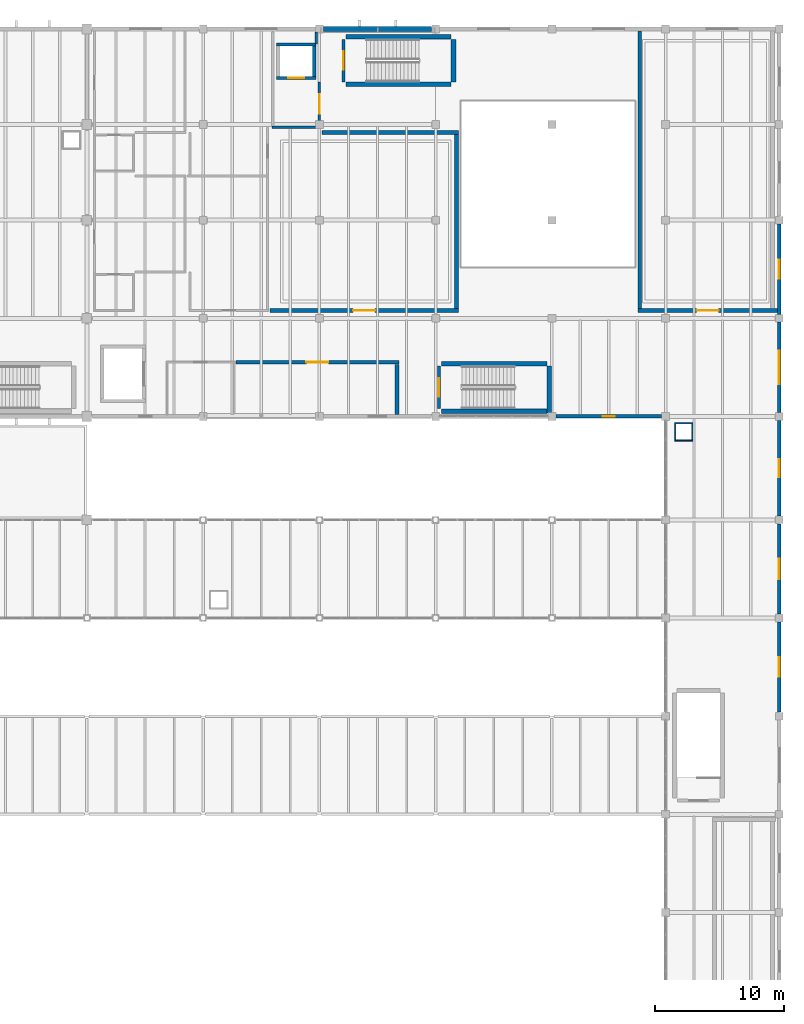
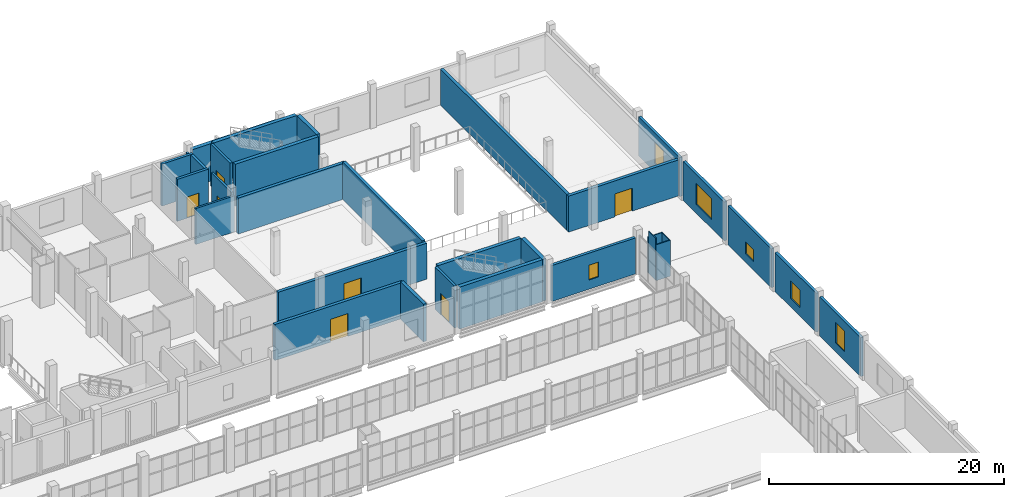
# One storey, part 124 of 136: 32 walls, 7 doors, 6 windows, 13 openings.
"""IFC4 building model written with IfcOpenShell, lengths in metres."""

from ifc_helpers import new_model, si_unit, direction, frame, frame_2d, origin, place, context, subcontext, project, spatial, rectangle, extrude, material, layer, layer_set, type_object, element, fill, save


model = new_model("IFC4")

# Units and contexts
model_context = context("Model", 3, precision=1e-05, world=origin(), true_north=direction((0.0, 1.0)))
body_context = subcontext(model_context, "Body", "Model", "MODEL_VIEW")
ifc_project = project(units=[si_unit("LENGTHUNIT", "METRE"), si_unit("AREAUNIT", "SQUARE_METRE"), si_unit("VOLUMEUNIT", "CUBIC_METRE"), si_unit("PLANEANGLEUNIT", "RADIAN"), si_unit("MASSUNIT", "GRAM", prefix="KILO")], contexts=[model_context])

# Site, building, storey
site_placement = place(None, origin())
site = spatial("IfcSite", under=ifc_project, at=site_placement, CompositionType="ELEMENT")
building_placement = place(site_placement, origin())
building = spatial("IfcBuilding", under=site, at=building_placement, Name="Shengluoqiao Park Theatre", CompositionType="ELEMENT")
storey_placement = place(building_placement, frame((0.0, 0.0, 10.0)))
storey = spatial("IfcBuildingStorey", under=building, at=storey_placement, Name="L02", CompositionType="ELEMENT", Elevation=10.0)

# Wall, opening, window
ifc_material_1 = material(Name="Concrete C40", Category="concrete")
ifc_layer_1 = layer(ifc_material_1, 0.27001953125, Name="Concrete C40")
ifc_layer_set_1 = layer_set([ifc_layer_1], Name="Concrete C40")
wall_type_1 = type_object("IfcWallType", Name="ENV-WL-CONC270", PredefinedType="STANDARD", material=ifc_layer_set_1)
wall_1_placement = place(storey_placement, frame((148.7041015625, 84.0, 0.0), z_axis=(0.0, 0.0, 1.0), x_axis=(1.0, 0.0, 0.0)))
wall_1 = element("IfcWall", 1, at=wall_1_placement, inside=storey, type_object=wall_type_1, Name="L02 Exterior Wall 0220", PredefinedType="STANDARD", context=body_context, shape_type="SweptSolid", body=[
    extrude(rectangle(XDim=8.19189453125, YDim=0.27001953125, at=frame_2d((4.095947265625, 0.0))), origin(), (0.0, 0.0, 1.0), 3.738037109375),
])
opening_1_placement = place(wall_1_placement, frame((3.62109375, 0.0, 0.949951171875)))
opening_1 = element("IfcOpeningElement", 2, at=opening_1_placement, cuts=wall_1, Name="Opening W-08", PredefinedType="OPENING", context=body_context, shape_type="SweptSolid", body=[
    extrude(rectangle(XDim=0.949951171875, YDim=1.550048828125, at=frame_2d((0.47509765625, 0.77490234375))), frame((0.0, 0.14501953125, 0.0), z_axis=(0.0, -1.0, 0.0), x_axis=(1.0, 0.0, 0.0)), (0.0, 0.0, 1.0), 0.2900390625),
])
ifc_material_2 = material(Name="Insulated glass", Category="glass")
window_type_1 = type_object("IfcWindowType", Name="ENV-WIN-W08", PartitioningType="SINGLE_PANEL", PredefinedType="WINDOW", material=ifc_material_2)
window_1_placement = place(opening_1_placement, origin())
window_1 = element("IfcWindow", 3, at=window_1_placement, inside=storey, type_object=window_type_1, Name="L02 Acoustic Window 0064", OverallHeight=1.550048828125, OverallWidth=0.949951171875, PartitioningType="SINGLE_PANEL", PredefinedType="WINDOW", context=body_context, shape_type="SweptSolid", body=[
    extrude(rectangle(XDim=0.949951171875, YDim=1.550048828125, at=frame_2d((0.47509765625, 0.77490234375))), frame((0.0, 0.030029296875, 0.0), z_axis=(0.0, -1.0, 0.0), x_axis=(1.0, 0.0, 0.0)), (0.0, 0.0, 1.0), 0.06005859375),
])
fill(opening_1, window_1)

wall_2_placement = place(storey_placement, frame((166.0, 61.10400390625, 0.0), z_axis=(0.0, 0.0, 1.0), x_axis=(0.0, 1.0, 0.0)))
wall_2 = element("IfcWall", 4, at=wall_2_placement, inside=storey, type_object=wall_type_1, Name="L02 Exterior Wall 0229", PredefinedType="STANDARD", context=body_context, shape_type="SweptSolid", body=[
    extrude(rectangle(XDim=6.991943359375, YDim=0.27001953125, at=frame_2d((3.49609375, 0.0))), origin(), (0.0, 0.0, 1.0), 4.033935546875),
])
opening_2_placement = place(wall_2_placement, frame((2.74609375, 0.0, 0.89990234375)))
opening_2 = element("IfcOpeningElement", 5, at=opening_2_placement, cuts=wall_2, Name="Opening W-03", PredefinedType="OPENING", context=body_context, shape_type="SweptSolid", body=[
    extrude(rectangle(XDim=1.5, YDim=2.14990234375, at=frame_2d((0.75, 1.074951171875))), frame((0.0, 0.14501953125, 0.0), z_axis=(0.0, -1.0, 0.0), x_axis=(1.0, 0.0, 0.0)), (0.0, 0.0, 1.0), 0.2900390625),
])
window_type_2 = type_object("IfcWindowType", Name="ENV-WIN-W03", PartitioningType="DOUBLE_PANEL_VERTICAL", PredefinedType="WINDOW", material=ifc_material_2)
window_2_placement = place(opening_2_placement, origin())
window_2 = element("IfcWindow", 6, at=window_2_placement, inside=storey, type_object=window_type_2, Name="L02 Acoustic Window 0073", OverallHeight=2.14990234375, OverallWidth=1.5, PartitioningType="DOUBLE_PANEL_VERTICAL", PredefinedType="WINDOW", context=body_context, shape_type="SweptSolid", body=[
    extrude(rectangle(XDim=1.5, YDim=2.14990234375, at=frame_2d((0.75, 1.074951171875))), frame((0.0, 0.030029296875, 0.0), z_axis=(0.0, -1.0, 0.0), x_axis=(1.0, 0.0, 0.0)), (0.0, 0.0, 1.0), 0.06005859375),
])
fill(opening_2, window_2)

wall_3_placement = place(storey_placement, frame((166.0, 68.7041015625, 0.0), z_axis=(0.0, 0.0, 1.0), x_axis=(0.0, 1.0, 0.0)))
wall_3 = element("IfcWall", 7, at=wall_3_placement, inside=storey, type_object=wall_type_1, Name="L02 Exterior Wall 0230", PredefinedType="STANDARD", context=body_context, shape_type="SweptSolid", body=[
    extrude(rectangle(XDim=6.991943359375, YDim=0.27001953125, at=frame_2d((3.49609375, 0.0))), origin(), (0.0, 0.0, 1.0), 4.033935546875),
])
opening_3_placement = place(wall_3_placement, frame((2.696044921875, 0.0, 0.89990234375)))
opening_3 = element("IfcOpeningElement", 8, at=opening_3_placement, cuts=wall_3, Name="Opening W-06", PredefinedType="OPENING", context=body_context, shape_type="SweptSolid", body=[
    extrude(rectangle(XDim=1.60009765625, YDim=1.800048828125, at=frame_2d((0.800048828125, 0.89990234375))), frame((0.0, 0.14501953125, 0.0), z_axis=(0.0, -1.0, 0.0), x_axis=(1.0, 0.0, 0.0)), (0.0, 0.0, 1.0), 0.2900390625),
])
window_type_3 = type_object("IfcWindowType", Name="ENV-WIN-W06", PartitioningType="DOUBLE_PANEL_VERTICAL", PredefinedType="WINDOW", material=ifc_material_2)
window_3_placement = place(opening_3_placement, origin())
window_3 = element("IfcWindow", 9, at=window_3_placement, inside=storey, type_object=window_type_3, Name="L02 Acoustic Window 0074", OverallHeight=1.800048828125, OverallWidth=1.60009765625, PartitioningType="DOUBLE_PANEL_VERTICAL", PredefinedType="WINDOW", context=body_context, shape_type="SweptSolid", body=[
    extrude(rectangle(XDim=1.60009765625, YDim=1.800048828125, at=frame_2d((0.800048828125, 0.89990234375))), frame((0.0, 0.030029296875, 0.0), z_axis=(0.0, -1.0, 0.0), x_axis=(1.0, 0.0, 0.0)), (0.0, 0.0, 1.0), 0.06005859375),
])
fill(opening_3, window_3)

wall_4_placement = place(storey_placement, frame((166.0, 76.303955078125, 0.0), z_axis=(0.0, 0.0, 1.0), x_axis=(0.0, 1.0, 0.0)))
wall_4 = element("IfcWall", 10, at=wall_4_placement, inside=storey, type_object=wall_type_1, Name="L02 Exterior Wall 0231", PredefinedType="STANDARD", context=body_context, shape_type="SweptSolid", body=[
    extrude(rectangle(XDim=7.39208984375, YDim=0.27001953125, at=frame_2d((3.696044921875, 0.0))), origin(), (0.0, 0.0, 1.0), 4.033935546875),
])
opening_4_placement = place(wall_4_placement, frame((2.99609375, 0.0, 0.89990234375)))
opening_4 = element("IfcOpeningElement", 11, at=opening_4_placement, cuts=wall_4, Name="Opening W-12", PredefinedType="OPENING", context=body_context, shape_type="SweptSolid", body=[
    extrude(rectangle(XDim=1.39990234375, YDim=1.199951171875, at=frame_2d((0.699951171875, 0.60009765625))), frame((0.0, 0.14501953125, 0.0), z_axis=(0.0, -1.0, 0.0), x_axis=(1.0, 0.0, 0.0)), (0.0, 0.0, 1.0), 0.2900390625),
])
window_type_4 = type_object("IfcWindowType", Name="ENV-WIN-W12", PartitioningType="SINGLE_PANEL", PredefinedType="WINDOW", material=ifc_material_2)
window_4_placement = place(opening_4_placement, origin())
window_4 = element("IfcWindow", 12, at=window_4_placement, inside=storey, type_object=window_type_4, Name="L02 Acoustic Window 0075", OverallHeight=1.199951171875, OverallWidth=1.39990234375, PartitioningType="SINGLE_PANEL", PredefinedType="WINDOW", context=body_context, shape_type="SweptSolid", body=[
    extrude(rectangle(XDim=1.39990234375, YDim=1.199951171875, at=frame_2d((0.699951171875, 0.60009765625))), frame((0.0, 0.030029296875, 0.0), z_axis=(0.0, -1.0, 0.0), x_axis=(1.0, 0.0, 0.0)), (0.0, 0.0, 1.0), 0.06005859375),
])
fill(opening_4, window_4)

wall_5_placement = place(storey_placement, frame((166.0, 84.303955078125, 0.0), z_axis=(0.0, 0.0, 1.0), x_axis=(0.0, 1.0, 0.0)))
wall_5 = element("IfcWall", 13, at=wall_5_placement, inside=storey, type_object=wall_type_1, Name="L02 Exterior Wall 0232", PredefinedType="STANDARD", context=body_context, shape_type="SweptSolid", body=[
    extrude(rectangle(XDim=6.991943359375, YDim=0.27001953125, at=frame_2d((3.49609375, 0.0))), origin(), (0.0, 0.0, 1.0), 4.033935546875),
])
opening_5_placement = place(wall_5_placement, frame((2.196044921875, 0.0, 0.89990234375)))
opening_5 = element("IfcOpeningElement", 14, at=opening_5_placement, cuts=wall_5, Name="Opening W-14", PredefinedType="OPENING", context=body_context, shape_type="SweptSolid", body=[
    extrude(rectangle(XDim=2.60009765625, YDim=2.199951171875, at=frame_2d((1.300048828125, 1.10009765625))), frame((0.0, 0.14501953125, 0.0), z_axis=(0.0, -1.0, 0.0), x_axis=(1.0, 0.0, 0.0)), (0.0, 0.0, 1.0), 0.2900390625),
])
window_type_5 = type_object("IfcWindowType", Name="ENV-WIN-W14", PartitioningType="DOUBLE_PANEL_VERTICAL", PredefinedType="WINDOW", material=ifc_material_2)
window_5_placement = place(opening_5_placement, origin())
window_5 = element("IfcWindow", 15, at=window_5_placement, inside=storey, type_object=window_type_5, Name="L02 Acoustic Window 0076", OverallHeight=2.199951171875, OverallWidth=2.60009765625, PartitioningType="DOUBLE_PANEL_VERTICAL", PredefinedType="WINDOW", context=body_context, shape_type="SweptSolid", body=[
    extrude(rectangle(XDim=2.60009765625, YDim=2.199951171875, at=frame_2d((1.300048828125, 1.10009765625))), frame((0.0, 0.030029296875, 0.0), z_axis=(0.0, -1.0, 0.0), x_axis=(1.0, 0.0, 0.0)), (0.0, 0.0, 1.0), 0.06005859375),
])
fill(opening_5, window_5)

wall_6_placement = place(storey_placement, frame((166.0, 91.904052734375, 0.0), z_axis=(0.0, 0.0, 1.0), x_axis=(0.0, 1.0, 0.0)))
wall_6 = element("IfcWall", 16, at=wall_6_placement, inside=storey, type_object=wall_type_1, Name="L02 Exterior Wall 0233", PredefinedType="STANDARD", context=body_context, shape_type="SweptSolid", body=[
    extrude(rectangle(XDim=6.991943359375, YDim=0.27001953125, at=frame_2d((3.49609375, 0.0))), origin(), (0.0, 0.0, 1.0), 4.0439453125),
])
opening_6_placement = place(wall_6_placement, frame((2.74609375, 0.0, 0.89990234375)))
opening_6 = element("IfcOpeningElement", 17, at=opening_6_placement, cuts=wall_6, Name="Opening W-03", PredefinedType="OPENING", context=body_context, shape_type="SweptSolid", body=[
    extrude(rectangle(XDim=1.5, YDim=2.14990234375, at=frame_2d((0.75, 1.074951171875))), frame((0.0, 0.14501953125, 0.0), z_axis=(0.0, -1.0, 0.0), x_axis=(1.0, 0.0, 0.0)), (0.0, 0.0, 1.0), 0.2900390625),
])
window_6_placement = place(opening_6_placement, origin())
window_6 = element("IfcWindow", 18, at=window_6_placement, inside=storey, type_object=window_type_2, Name="L02 Acoustic Window 0077", OverallHeight=2.14990234375, OverallWidth=1.5, PartitioningType="DOUBLE_PANEL_VERTICAL", PredefinedType="WINDOW", context=body_context, shape_type="SweptSolid", body=[
    extrude(rectangle(XDim=1.5, YDim=2.14990234375, at=frame_2d((0.75, 1.074951171875))), frame((0.0, 0.030029296875, 0.0), z_axis=(0.0, -1.0, 0.0), x_axis=(1.0, 0.0, 0.0)), (0.0, 0.0, 1.0), 0.06005859375),
])
fill(opening_6, window_6)

# Wall
ifc_material_3 = material(Name="Concrete C45", Category="concrete")
ifc_layer_2 = layer(ifc_material_3, 0.3798828125, Name="Concrete C45")
ifc_layer_set_2 = layer_set([ifc_layer_2], Name="Concrete C45")
wall_type_2 = type_object("IfcWallType", Name="ENV-WL-CONC380", PredefinedType="STANDARD", material=ifc_layer_set_2)
wall_7_placement = place(storey_placement, frame((130.7041015625, 114.0, 0.0), z_axis=(0.0, 0.0, 1.0), x_axis=(1.0, 0.0, 0.0)))
element("IfcWall", 19, at=wall_7_placement, inside=storey, type_object=wall_type_2, Name="L02 Exterior Wall 0213", PredefinedType="STANDARD", context=body_context, shape_type="SweptSolid", body=[
    extrude(rectangle(XDim=8.391845703125, YDim=0.3798828125, at=frame_2d((4.19580078125, 0.0))), origin(), (0.0, 0.0, 1.0), 3.89794921875),
])

# Wall, opening, door
ifc_material_4 = material(Name="Gypsum acoustic stud", Category="gypsum")
ifc_layer_3 = layer(ifc_material_4, 0.300048828125, Name="Gypsum acoustic stud")
ifc_layer_set_3 = layer_set([ifc_layer_3], Name="Gypsum acoustic stud")
wall_type_3 = type_object("IfcWallType", Name="INT-WL-ACO300", PredefinedType="PARTITIONING", material=ifc_layer_set_3)
wall_8_placement = place(storey_placement, frame((126.574951171875, 92.199951171875, 0.0), z_axis=(0.0, 0.0, 1.0), x_axis=(1.0, 0.0, 0.0)))
wall_8 = element("IfcWall", 20, at=wall_8_placement, inside=storey, type_object=wall_type_3, Name="Orchestra Rehearsal Room Partition S", PredefinedType="PARTITIONING", context=body_context, shape_type="SweptSolid", body=[
    extrude(rectangle(XDim=14.574951171875, YDim=0.300048828125, at=frame_2d((7.28759765625, 0.0))), origin(), (0.0, 0.0, 1.0), 3.738037109375),
])
opening_7_placement = place(wall_8_placement, frame((6.427490234375, 0.0, 0.0)))
opening_7 = element("IfcOpeningElement", 21, at=opening_7_placement, cuts=wall_8, Name="Opening D-L02-064", PredefinedType="OPENING", context=body_context, shape_type="SweptSolid", body=[
    extrude(rectangle(XDim=1.719970703125, YDim=2.3798828125, at=frame_2d((0.85986328125, 1.18994140625))), frame((0.0, 0.159912109375, 0.0), z_axis=(0.0, -1.0, 0.0), x_axis=(1.0, 0.0, 0.0)), (0.0, 0.0, 1.0), 0.320068359375),
])
ifc_material_5 = material(Name="Acoustic timber", Category="wood")
door_type_1 = type_object("IfcDoorType", Name="INT-DR-REH172", OperationType="DOUBLE_DOOR_SINGLE_SWING", PredefinedType="DOOR", material=ifc_material_5)
door_1_placement = place(opening_7_placement, origin())
door_1 = element("IfcDoor", 22, at=door_1_placement, inside=storey, type_object=door_type_1, Name="Orchestra Rehearsal Room Door D-L02-064", OperationType="DOUBLE_DOOR_SINGLE_SWING", OverallHeight=2.3798828125, OverallWidth=1.719970703125, PredefinedType="DOOR", context=body_context, shape_type="SweptSolid", body=[
    extrude(rectangle(XDim=1.719970703125, YDim=2.3798828125, at=frame_2d((0.85986328125, 1.18994140625))), frame((0.0, 0.02490234375, 0.0), z_axis=(0.0, -1.0, 0.0), x_axis=(1.0, 0.0, 0.0)), (0.0, 0.0, 1.0), 0.050048828125),
])
fill(opening_7, door_1)

# Walls
wall_9_placement = place(storey_placement, frame((130.607421875, 106.0, 0.0), z_axis=(0.0, 0.0, 1.0), x_axis=(1.0, 0.0, 0.0)))
element("IfcWall", 23, at=wall_9_placement, inside=storey, type_object=wall_type_3, Name="Orchestra Rehearsal Room Partition N", PredefinedType="PARTITIONING", context=body_context, shape_type="SweptSolid", body=[
    extrude(rectangle(XDim=10.54248046875, YDim=0.300048828125, at=frame_2d((5.271240234375, 0.0))), origin(), (0.0, 0.0, 1.0), 3.738037109375),
])
wall_10_placement = place(storey_placement, frame((141.0, 92.35595703125, 0.0), z_axis=(0.0, 0.0, 1.0), x_axis=(0.0, 1.0, 0.0)))
element("IfcWall", 24, at=wall_10_placement, inside=storey, type_object=wall_type_3, Name="Orchestra Rehearsal Room Partition E", PredefinedType="PARTITIONING", context=body_context, shape_type="SweptSolid", body=[
    extrude(rectangle(XDim=13.488037109375, YDim=0.300048828125, at=frame_2d((6.744140625, 0.0))), origin(), (0.0, 0.0, 1.0), 3.89794921875),
])

# Wall, opening, door
wall_11_placement = place(storey_placement, frame((123.93505859375, 88.199951171875, 0.0), z_axis=(0.0, 0.0, 1.0), x_axis=(1.0, 0.0, 0.0)))
wall_11 = element("IfcWall", 25, at=wall_11_placement, inside=storey, type_object=wall_type_3, Name="Conductors and Soloists Coaching Suite Partition N", PredefinedType="PARTITIONING", context=body_context, shape_type="SweptSolid", body=[
    extrude(rectangle(XDim=12.614990234375, YDim=0.300048828125, at=frame_2d((6.3076171875, 0.0))), origin(), (0.0, 0.0, 1.0), 3.738037109375),
])
opening_8_placement = place(wall_11_placement, frame((5.447509765625, 0.0, 0.0)))
opening_8 = element("IfcOpeningElement", 26, at=opening_8_placement, cuts=wall_11, Name="Opening D-L02-065", PredefinedType="OPENING", context=body_context, shape_type="SweptSolid", body=[
    extrude(rectangle(XDim=1.719970703125, YDim=2.3798828125, at=frame_2d((0.85986328125, 1.18994140625))), frame((0.0, 0.159912109375, 0.0), z_axis=(0.0, -1.0, 0.0), x_axis=(1.0, 0.0, 0.0)), (0.0, 0.0, 1.0), 0.320068359375),
])
door_2_placement = place(opening_8_placement, origin())
door_2 = element("IfcDoor", 27, at=door_2_placement, inside=storey, type_object=door_type_1, Name="Conductors and Soloists Coaching Suite Door D-L02-065", OperationType="DOUBLE_DOOR_SINGLE_SWING", OverallHeight=2.3798828125, OverallWidth=1.719970703125, PredefinedType="DOOR", context=body_context, shape_type="SweptSolid", body=[
    extrude(rectangle(XDim=1.719970703125, YDim=2.3798828125, at=frame_2d((0.85986328125, 1.18994140625))), frame((0.0, 0.02490234375, 0.0), z_axis=(0.0, -1.0, 0.0), x_axis=(1.0, 0.0, 0.0)), (0.0, 0.0, 1.0), 0.050048828125),
])
fill(opening_8, door_2)

# Wall
wall_12_placement = place(storey_placement, frame((136.39990234375, 84.14306640625, 0.0), z_axis=(0.0, 0.0, 1.0), x_axis=(0.0, 1.0, 0.0)))
element("IfcWall", 28, at=wall_12_placement, inside=storey, type_object=wall_type_3, Name="Conductors and Soloists Coaching Suite Partition E", PredefinedType="PARTITIONING", context=body_context, shape_type="SweptSolid", body=[
    extrude(rectangle(XDim=3.90087890625, YDim=0.300048828125, at=frame_2d((1.950439453125, 0.0))), origin(), (0.0, 0.0, 1.0), 3.89794921875),
])

# Wall, opening, door
wall_13_placement = place(storey_placement, frame((155.050048828125, 92.199951171875, 0.0), z_axis=(0.0, 0.0, 1.0), x_axis=(1.0, 0.0, 0.0)))
wall_13 = element("IfcWall", 29, at=wall_13_placement, inside=storey, type_object=wall_type_3, Name="Dance Rehearsal Room Partition S", PredefinedType="PARTITIONING", context=body_context, shape_type="SweptSolid", body=[
    extrude(rectangle(XDim=10.806884765625, YDim=0.300048828125, at=frame_2d((5.4033203125, 0.0))), origin(), (0.0, 0.0, 1.0), 3.738037109375),
])
opening_9_placement = place(wall_13_placement, frame((4.54345703125, 0.0, 0.0)))
opening_9 = element("IfcOpeningElement", 30, at=opening_9_placement, cuts=wall_13, Name="Opening D-L02-066", PredefinedType="OPENING", context=body_context, shape_type="SweptSolid", body=[
    extrude(rectangle(XDim=1.719970703125, YDim=2.3798828125, at=frame_2d((0.85986328125, 1.18994140625))), frame((0.0, 0.159912109375, 0.0), z_axis=(0.0, -1.0, 0.0), x_axis=(1.0, 0.0, 0.0)), (0.0, 0.0, 1.0), 0.320068359375),
])
door_3_placement = place(opening_9_placement, origin())
door_3 = element("IfcDoor", 31, at=door_3_placement, inside=storey, type_object=door_type_1, Name="Dance Rehearsal Room Door D-L02-066", OperationType="DOUBLE_DOOR_SINGLE_SWING", OverallHeight=2.3798828125, OverallWidth=1.719970703125, PredefinedType="DOOR", context=body_context, shape_type="SweptSolid", body=[
    extrude(rectangle(XDim=1.719970703125, YDim=2.3798828125, at=frame_2d((0.85986328125, 1.18994140625))), frame((0.0, 0.02490234375, 0.0), z_axis=(0.0, -1.0, 0.0), x_axis=(1.0, 0.0, 0.0)), (0.0, 0.0, 1.0), 0.050048828125),
])
fill(opening_9, door_3)

# Walls
wall_14_placement = place(storey_placement, frame((155.199951171875, 92.35595703125, 0.0), z_axis=(0.0, 0.0, 1.0), x_axis=(0.0, 1.0, 0.0)))
element("IfcWall", 32, at=wall_14_placement, inside=storey, type_object=wall_type_3, Name="Dance Rehearsal Room Partition W", PredefinedType="PARTITIONING", context=body_context, shape_type="SweptSolid", body=[
    extrude(rectangle(XDim=21.48095703125, YDim=0.300048828125, at=frame_2d((10.740478515625, 0.0))), origin(), (0.0, 0.0, 1.0), 3.738037109375),
])
ifc_material_6 = material(Name="Concrete blockwork B06", Category="masonry")
ifc_layer_4 = layer(ifc_material_6, 0.195068359375, Name="Concrete blockwork B06")
ifc_layer_set_4 = layer_set([ifc_layer_4], Name="Concrete blockwork B06")
wall_type_4 = type_object("IfcWallType", Name="INT-WL-FFL195", PredefinedType="PARTITIONING", material=ifc_layer_set_4)
wall_15_placement = place(storey_placement, frame((126.7099609375, 106.39990234375, 0.0), z_axis=(0.0, 0.0, 1.0), x_axis=(1.0, 0.0, 0.0)))
element("IfcWall", 33, at=wall_15_placement, inside=storey, type_object=wall_type_4, Name="L02 Firefighting Lift Lobby FF2 Fire Wall S", PredefinedType="PARTITIONING", context=body_context, shape_type="SweptSolid", body=[
    extrude(rectangle(XDim=3.780029296875, YDim=0.195068359375, at=frame_2d((1.89013671875, 0.0))), origin(), (0.0, 0.0, 1.0), 3.738037109375),
])

# Wall, opening, door
wall_16_placement = place(storey_placement, frame((130.39990234375, 106.5048828125, 0.0), z_axis=(0.0, 0.0, 1.0), x_axis=(0.0, 1.0, 0.0)))
wall_16 = element("IfcWall", 34, at=wall_16_placement, inside=storey, type_object=wall_type_4, Name="L02 Firefighting Lift Lobby FF2 Fire Wall E", PredefinedType="PARTITIONING", context=body_context, shape_type="SweptSolid", body=[
    extrude(rectangle(XDim=3.39013671875, YDim=0.195068359375, at=frame_2d((1.695068359375, 0.0))), origin(), (0.0, 0.0, 1.0), 4.0439453125),
])
opening_10_placement = place(wall_16_placement, frame((0.945068359375, 0.0, 0.0)))
opening_10 = element("IfcOpeningElement", 35, at=opening_10_placement, cuts=wall_16, Name="Opening FD-FFL-2-L02", PredefinedType="OPENING", context=body_context, shape_type="SweptSolid", body=[
    extrude(rectangle(XDim=1.5, YDim=2.199951171875, at=frame_2d((0.75, 1.10009765625))), frame((0.0, 0.107421875, 0.0), z_axis=(0.0, -1.0, 0.0), x_axis=(1.0, 0.0, 0.0)), (0.0, 0.0, 1.0), 0.215087890625),
])
ifc_material_7 = material(Name="Steel Q355", Category="steel")
door_type_2 = type_object("IfcDoorType", Name="INT-DR-FFL150", OperationType="DOUBLE_DOOR_SINGLE_SWING", PredefinedType="DOOR", material=ifc_material_7)
door_4_placement = place(opening_10_placement, origin())
door_4 = element("IfcDoor", 36, at=door_4_placement, inside=storey, type_object=door_type_2, Name="L02 Firefighting Lift Lobby FF2 Fire Door FD-FFL-2-L02", OperationType="DOUBLE_DOOR_SINGLE_SWING", OverallHeight=2.199951171875, OverallWidth=1.5, PredefinedType="DOOR", context=body_context, shape_type="SweptSolid", body=[
    extrude(rectangle(XDim=1.5, YDim=2.199951171875, at=frame_2d((0.75, 1.10009765625))), frame((0.0, 0.02490234375, 0.0), z_axis=(0.0, -1.0, 0.0), x_axis=(1.0, 0.0, 0.0)), (0.0, 0.0, 1.0), 0.050048828125),
])
fill(opening_10, door_4)

# Walls
wall_17_placement = place(storey_placement, frame((130.139892578125, 112.820068359375, 0.0), z_axis=(0.0, 0.0, 1.0), x_axis=(0.0, 1.0, 0.0)))
element("IfcWall", 37, at=wall_17_placement, inside=storey, type_object=wall_type_4, Name="L02 Firefighting Lift Lobby FF2 Fire Wall N", PredefinedType="PARTITIONING", context=body_context, shape_type="SweptSolid", body=[
    extrude(rectangle(XDim=0.9599609375, YDim=0.195068359375, at=frame_2d((0.47998046875, 0.0))), origin(), (0.0, 0.0, 1.0), 3.89794921875),
])
ifc_material_8 = material(Name="Gypsum shaftwall", Category="gypsum")
ifc_layer_5 = layer(ifc_material_8, 0.094970703125, Name="Gypsum shaftwall")
ifc_layer_set_5 = layer_set([ifc_layer_5], Name="Gypsum shaftwall")
wall_type_5 = type_object("IfcWallType", Name="INT-WL-RSR095", PredefinedType="PARTITIONING", material=ifc_layer_set_5)
for number, where, z_axis, x_axis, name in (
    (38, (157.905029296875, 82.14990234375, 0.0), (0.0, 0.0, 1.0), (1.0, 0.0, 0.0), "L02 Service Riser Shaftwall 133"),
    (39, (157.905029296875, 83.469970703125, 0.0), (0.0, 0.0, 1.0), (1.0, 0.0, 0.0), "L02 Service Riser Shaftwall 134"),
):
    element("IfcWall", number, at=place(storey_placement, frame(where, z_axis=z_axis, x_axis=x_axis)), inside=storey, type_object=wall_type_5, Name=name, PredefinedType="PARTITIONING", context=body_context, shape_type="SweptSolid", body=[
        extrude(rectangle(XDim=1.409912109375, YDim=0.094970703125, at=frame_2d((0.705078125, 0.0))), origin(), (0.0, 0.0, 1.0), 3.72802734375),
    ])
wall_18_placement = place(storey_placement, frame((157.949951171875, 82.205078125, 0.0), z_axis=(0.0, 0.0, 1.0), x_axis=(0.0, 1.0, 0.0)))
element("IfcWall", 40, at=wall_18_placement, inside=storey, type_object=wall_type_5, Name="L02 Service Riser Shaftwall 135", PredefinedType="PARTITIONING", context=body_context, shape_type="SweptSolid", body=[
    extrude(rectangle(XDim=1.2099609375, YDim=0.094970703125, at=frame_2d((0.60498046875, 0.0))), origin(), (0.0, 0.0, 1.0), 4.360107421875),
])
wall_19_placement = place(storey_placement, frame((159.27001953125, 82.205078125, 0.0), z_axis=(0.0, 0.0, 1.0), x_axis=(0.0, 1.0, 0.0)))
element("IfcWall", 41, at=wall_19_placement, inside=storey, type_object=wall_type_5, Name="L02 Service Riser Shaftwall 136", PredefinedType="PARTITIONING", context=body_context, shape_type="SweptSolid", body=[
    extrude(rectangle(XDim=1.2099609375, YDim=0.094970703125, at=frame_2d((0.60498046875, 0.0))), origin(), (0.0, 0.0, 1.0), 3.72802734375),
])

# Wall, opening, door
ifc_layer_6 = layer(ifc_material_1, 0.260009765625, Name="Concrete C40")
ifc_layer_set_6 = layer_set([ifc_layer_6], Name="Concrete C40")
wall_type_6 = type_object("IfcWallType", Name="INT-WL-SHF260", PredefinedType="STANDARD", material=ifc_layer_set_6)
wall_20_placement = place(storey_placement, frame((127.070068359375, 110.199951171875, 0.0), z_axis=(0.0, 0.0, 1.0), x_axis=(1.0, 0.0, 0.0)))
wall_20 = element("IfcWall", 42, at=wall_20_placement, inside=storey, type_object=wall_type_6, Name="L02 FF2 Lift Shaft Wall South", PredefinedType="STANDARD", context=body_context, shape_type="SweptSolid", body=[
    extrude(rectangle(XDim=3.059814453125, YDim=0.260009765625, at=frame_2d((1.52978515625, 0.0))), origin(), (0.0, 0.0, 1.0), 4.360107421875),
])
opening_11_placement = place(wall_20_placement, frame((0.919921875, 0.0, 0.0)))
opening_11 = element("IfcOpeningElement", 43, at=opening_11_placement, cuts=wall_20, Name="Opening LD-FF2-L02", PredefinedType="OPENING", context=body_context, shape_type="SweptSolid", body=[
    extrude(rectangle(XDim=1.219970703125, YDim=2.199951171875, at=frame_2d((0.60986328125, 1.10009765625))), frame((0.0, 0.139892578125, 0.0), z_axis=(0.0, -1.0, 0.0), x_axis=(1.0, 0.0, 0.0)), (0.0, 0.0, 1.0), 0.280029296875),
])
ifc_material_9 = material(Name="Stainless steel 304", Category="steel")
door_type_3 = type_object("IfcDoorType", Name="INT-DR-LD122", OperationType="SLIDING_TO_RIGHT", PredefinedType="DOOR", material=ifc_material_9)
door_5_placement = place(opening_11_placement, origin())
door_5 = element("IfcDoor", 44, at=door_5_placement, inside=storey, type_object=door_type_3, Name="FF2 Lift Landing Door LD-FF2-L02", OperationType="SLIDING_TO_RIGHT", OverallHeight=2.199951171875, OverallWidth=1.219970703125, PredefinedType="DOOR", context=body_context, shape_type="SweptSolid", body=[
    extrude(rectangle(XDim=1.219970703125, YDim=2.199951171875, at=frame_2d((0.60986328125, 1.10009765625))), frame((0.0, 0.02490234375, 0.0), z_axis=(0.0, -1.0, 0.0), x_axis=(1.0, 0.0, 0.0)), (0.0, 0.0, 1.0), 0.050048828125),
])
fill(opening_11, door_5)

# Walls
wall_21_placement = place(storey_placement, frame((127.070068359375, 112.800048828125, 0.0), z_axis=(0.0, 0.0, 1.0), x_axis=(1.0, 0.0, 0.0)))
element("IfcWall", 45, at=wall_21_placement, inside=storey, type_object=wall_type_6, Name="L02 FF2 Lift Shaft Wall North", PredefinedType="STANDARD", context=body_context, shape_type="SweptSolid", body=[
    extrude(rectangle(XDim=3.059814453125, YDim=0.260009765625, at=frame_2d((1.52978515625, 0.0))), origin(), (0.0, 0.0, 1.0), 4.360107421875),
])
wall_22_placement = place(storey_placement, frame((130.0, 110.3359375, 0.0), z_axis=(0.0, 0.0, 1.0), x_axis=(0.0, 1.0, 0.0)))
element("IfcWall", 46, at=wall_22_placement, inside=storey, type_object=wall_type_6, Name="L02 FF2 Lift Shaft Wall East", PredefinedType="STANDARD", context=body_context, shape_type="SweptSolid", body=[
    extrude(rectangle(XDim=2.328125, YDim=0.260009765625, at=frame_2d((1.1640625, 0.0))), origin(), (0.0, 0.0, 1.0), 4.360107421875),
])

# Wall, opening, door
ifc_layer_7 = layer(ifc_material_1, 0.239990234375, Name="Concrete C40")
ifc_layer_set_7 = layer_set([ifc_layer_7], Name="Concrete C40")
wall_type_7 = type_object("IfcWallType", Name="INT-WL-STW240", PredefinedType="STANDARD", material=ifc_layer_set_7)
wall_23_placement = place(storey_placement, frame((132.260009765625, 109.909912109375, 0.0), z_axis=(0.0, 0.0, 1.0), x_axis=(0.0, 1.0, 0.0)))
wall_23 = element("IfcWall", 47, at=wall_23_placement, inside=storey, type_object=wall_type_7, Name="L02 ST-06 Stairwell Fire Wall", PredefinedType="STANDARD", context=body_context, shape_type="SweptSolid", body=[
    extrude(rectangle(XDim=3.280029296875, YDim=0.239990234375, at=frame_2d((1.64013671875, 0.0))), origin(), (0.0, 0.0, 1.0), 4.360107421875),
])
opening_12_placement = place(wall_23_placement, frame((0.9150390625, 0.0, 0.0)))
opening_12 = element("IfcOpeningElement", 48, at=opening_12_placement, cuts=wall_23, Name="Opening SD-06-L02", PredefinedType="OPENING", context=body_context, shape_type="SweptSolid", body=[
    extrude(rectangle(XDim=1.449951171875, YDim=2.199951171875, at=frame_2d((0.72509765625, 1.10009765625))), frame((0.0, 0.1298828125, 0.0), z_axis=(0.0, -1.0, 0.0), x_axis=(1.0, 0.0, 0.0)), (0.0, 0.0, 1.0), 0.260009765625),
])
door_type_4 = type_object("IfcDoorType", Name="INT-DR-STW145", OperationType="DOUBLE_DOOR_SINGLE_SWING", PredefinedType="DOOR", material=ifc_material_7)
door_6_placement = place(opening_12_placement, origin())
door_6 = element("IfcDoor", 49, at=door_6_placement, inside=storey, type_object=door_type_4, Name="L02 ST-06 Escape Stair Door SD-06-L02", OperationType="DOUBLE_DOOR_SINGLE_SWING", OverallHeight=2.199951171875, OverallWidth=1.449951171875, PredefinedType="DOOR", context=body_context, shape_type="SweptSolid", body=[
    extrude(rectangle(XDim=1.449951171875, YDim=2.199951171875, at=frame_2d((0.72509765625, 1.10009765625))), frame((0.0, 0.02490234375, 0.0), z_axis=(0.0, -1.0, 0.0), x_axis=(1.0, 0.0, 0.0)), (0.0, 0.0, 1.0), 0.050048828125),
])
fill(opening_12, door_6)

wall_24_placement = place(storey_placement, frame((139.659912109375, 84.610107421875, 0.0), z_axis=(0.0, 0.0, 1.0), x_axis=(0.0, 1.0, 0.0)))
wall_24 = element("IfcWall", 50, at=wall_24_placement, inside=storey, type_object=wall_type_7, Name="L02 ST-10 Stairwell Fire Wall", PredefinedType="STANDARD", context=body_context, shape_type="SweptSolid", body=[
    extrude(rectangle(XDim=3.27978515625, YDim=0.239990234375, at=frame_2d((1.639892578125, 0.0))), origin(), (0.0, 0.0, 1.0), 4.360107421875),
])
opening_13_placement = place(wall_24_placement, frame((0.9150390625, 0.0, 0.0)))
opening_13 = element("IfcOpeningElement", 51, at=opening_13_placement, cuts=wall_24, Name="Opening SD-10-L02", PredefinedType="OPENING", context=body_context, shape_type="SweptSolid", body=[
    extrude(rectangle(XDim=1.449951171875, YDim=2.199951171875, at=frame_2d((0.72509765625, 1.10009765625))), frame((0.0, 0.1298828125, 0.0), z_axis=(0.0, -1.0, 0.0), x_axis=(1.0, 0.0, 0.0)), (0.0, 0.0, 1.0), 0.260009765625),
])
door_7_placement = place(opening_13_placement, origin())
door_7 = element("IfcDoor", 52, at=door_7_placement, inside=storey, type_object=door_type_4, Name="L02 ST-10 Escape Stair Door SD-10-L02", OperationType="DOUBLE_DOOR_SINGLE_SWING", OverallHeight=2.199951171875, OverallWidth=1.449951171875, PredefinedType="DOOR", context=body_context, shape_type="SweptSolid", body=[
    extrude(rectangle(XDim=1.449951171875, YDim=2.199951171875, at=frame_2d((0.72509765625, 1.10009765625))), frame((0.0, 0.02490234375, 0.0), z_axis=(0.0, -1.0, 0.0), x_axis=(1.0, 0.0, 0.0)), (0.0, 0.0, 1.0), 0.050048828125),
])
fill(opening_13, door_7)

# Walls
ifc_material_10 = material(Name="Concrete C50", Category="concrete")
ifc_layer_8 = layer(ifc_material_10, 0.35009765625, Name="Concrete C50")
ifc_layer_set_8 = layer_set([ifc_layer_8], Name="Concrete C50")
wall_type_8 = type_object("IfcWallType", Name="STR-SW-CORE350", PredefinedType="SHEAR", material=ifc_layer_set_8)
wall_25_placement = place(storey_placement, frame((132.449951171875, 109.719970703125, 0.0), z_axis=(0.0, 0.0, 1.0), x_axis=(1.0, 0.0, 0.0)))
element("IfcWall", 53, at=wall_25_placement, inside=storey, type_object=wall_type_8, Name="L02 ST-06 Core Left Shear Wall 0115", PredefinedType="SHEAR", context=body_context, shape_type="SweptSolid", body=[
    extrude(rectangle(XDim=8.150146484375, YDim=0.35009765625, at=frame_2d((4.0751953125, 0.0))), origin(), (0.0, 0.0, 1.0), 4.360107421875),
])
wall_26_placement = place(storey_placement, frame((140.780029296875, 109.89990234375, 0.0), z_axis=(0.0, 0.0, 1.0), x_axis=(0.0, 1.0, 0.0)))
element("IfcWall", 54, at=wall_26_placement, inside=storey, type_object=wall_type_8, Name="L02 ST-06 Core Far Shear Wall 0116", PredefinedType="SHEAR", context=body_context, shape_type="SweptSolid", body=[
    extrude(rectangle(XDim=3.300048828125, YDim=0.35009765625, at=frame_2d((1.64990234375, 0.0))), origin(), (0.0, 0.0, 1.0), 4.360107421875),
])
wall_27_placement = place(storey_placement, frame((140.60009765625, 113.3798828125, 0.0), z_axis=(0.0, 0.0, 1.0), x_axis=(-1.0, 0.0, 0.0)))
element("IfcWall", 55, at=wall_27_placement, inside=storey, type_object=wall_type_8, Name="L02 ST-06 Core Right Shear Wall 0117", PredefinedType="SHEAR", context=body_context, shape_type="SweptSolid", body=[
    extrude(rectangle(XDim=8.150146484375, YDim=0.35009765625, at=frame_2d((4.0751953125, 0.0))), origin(), (0.0, 0.0, 1.0), 4.360107421875),
])
wall_28_placement = place(storey_placement, frame((139.85009765625, 84.419921875, 0.0), z_axis=(0.0, 0.0, 1.0), x_axis=(1.0, 0.0, 0.0)))
element("IfcWall", 56, at=wall_28_placement, inside=storey, type_object=wall_type_8, Name="L02 ST-10 Core Left Shear Wall 0136", PredefinedType="SHEAR", context=body_context, shape_type="SweptSolid", body=[
    extrude(rectangle(XDim=8.14990234375, YDim=0.35009765625, at=frame_2d((4.074951171875, 0.0))), origin(), (0.0, 0.0, 1.0), 4.360107421875),
])
wall_29_placement = place(storey_placement, frame((148.179931640625, 84.280029296875, 0.0), z_axis=(0.0, 0.0, 1.0), x_axis=(0.0, 1.0, 0.0)))
element("IfcWall", 57, at=wall_29_placement, inside=storey, type_object=wall_type_8, Name="L02 ST-10 Core Far Shear Wall 0137", PredefinedType="SHEAR", context=body_context, shape_type="SweptSolid", body=[
    extrude(rectangle(XDim=3.619873046875, YDim=0.35009765625, at=frame_2d((1.81005859375, 0.0))), origin(), (0.0, 0.0, 1.0), 4.360107421875),
])
wall_30_placement = place(storey_placement, frame((148.0, 88.080078125, 0.0), z_axis=(0.0, 0.0, 1.0), x_axis=(-1.0, 0.0, 0.0)))
element("IfcWall", 58, at=wall_30_placement, inside=storey, type_object=wall_type_8, Name="L02 ST-10 Core Right Shear Wall 0138", PredefinedType="SHEAR", context=body_context, shape_type="SweptSolid", body=[
    extrude(rectangle(XDim=8.14990234375, YDim=0.35009765625, at=frame_2d((4.074951171875, 0.0))), origin(), (0.0, 0.0, 1.0), 4.360107421875),
])

save(model, "model.ifc")
